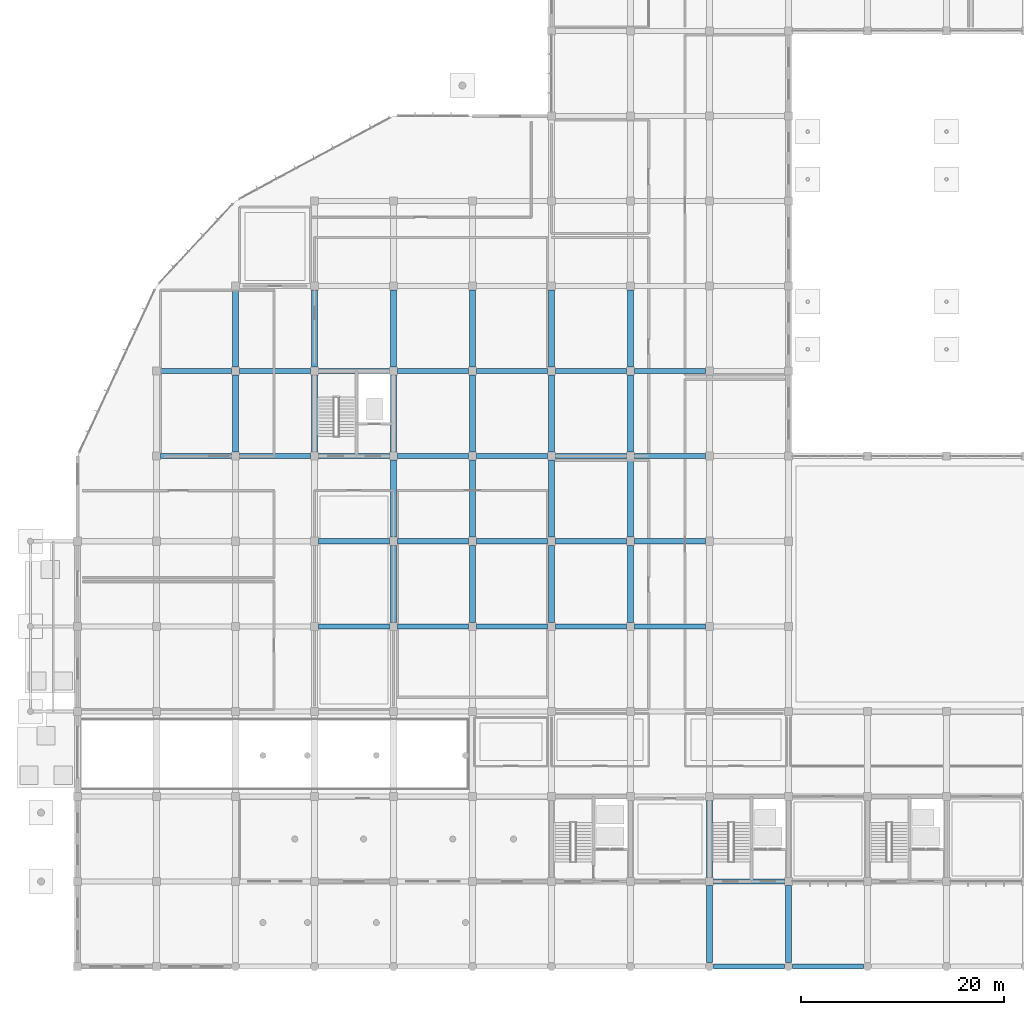
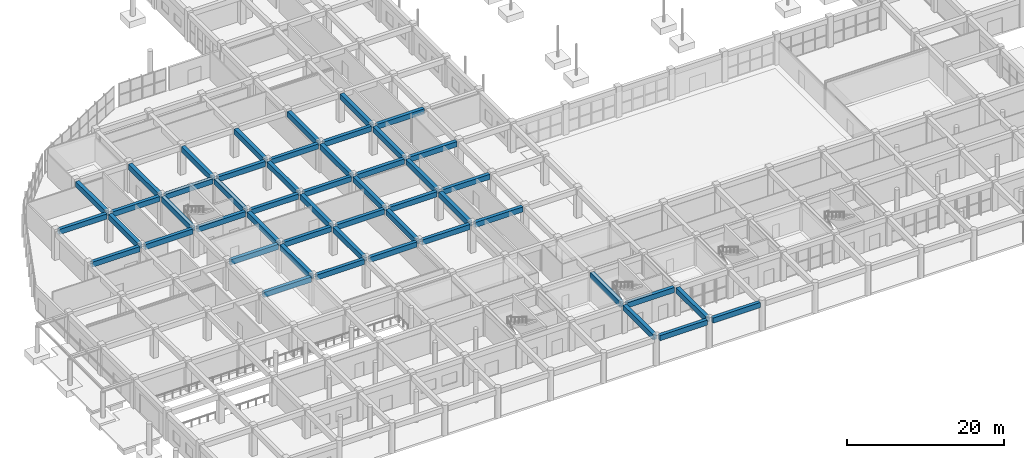
# One storey, part 12 of 139: 50 beams.
"""IFC4 building model written with IfcOpenShell, lengths in metres."""

import ifcopenshell
import ifcopenshell.guid

model = None  # the IFC model being written
_history = None  # IfcOwnerHistory: only IFC2X3 demands one
_inside = {}  # id of a spatial element -> (the spatial element, [elements in it])
_under = {}  # id of a project, library or spatial element -> (it, [spatial elements below it])
_declared = {}  # id of a project -> (the project, [libraries it declares])
_typed = {}  # id of a type object -> (the type object, [elements of that type])
_made_of = {}  # id of a material, layer set ... -> (it, [elements and type objects made of it])


def new_model(schema):
    """Start an empty IFC model of exactly this schema.

    Asked for "IFC4X3", IfcOpenShell would pick the latest addendum, in which some entities
    have other attributes; the version numbers below select the first issue.
    IFC2X3 requires an IfcOwnerHistory on every rooted entity: one is made here for all.
    """
    global model, _history
    if schema == "IFC4X3":
        model = ifcopenshell.file(schema_version=(4, 3, 0, 0))
    else:
        model = ifcopenshell.file(schema=schema)
    _inside.clear()
    _under.clear()
    _declared.clear()
    _typed.clear()
    _made_of.clear()
    _history = None
    if model.schema == "IFC2X3":
        org = make("IfcOrganization", Name="unknown")
        user = make(
            "IfcPersonAndOrganization",
            ThePerson=make("IfcPerson", FamilyName="unknown"),
            TheOrganization=org,
        )
        app = make(
            "IfcApplication",
            ApplicationDeveloper=org,
            Version="unknown",
            ApplicationFullName="unknown",
            ApplicationIdentifier="unknown",
        )
        _history = make(
            "IfcOwnerHistory",
            OwningUser=user,
            OwningApplication=app,
            ChangeAction="ADDED",
            CreationDate=0,
        )
    return model


def make(cls, **values):
    """One entity of the class cls with the attributes given. An attribute that is None is left unset."""
    return model.create_entity(
        cls, **{name: value for name, value in values.items() if value is not None}
    )


def rooted(cls, **values):
    """An entity with a GlobalId (a new one), such as an element, a storey or a relation."""
    return make(cls, GlobalId=ifcopenshell.guid.new(), OwnerHistory=_history, **values)


def si_unit(unit_type, name, prefix=None):
    """IfcSIUnit, for example si_unit("LENGTHUNIT", "METRE", prefix="MILLI")."""
    return make("IfcSIUnit", UnitType=unit_type, Prefix=prefix, Name=name)


def assignment(units):
    """IfcUnitAssignment: the units of a project."""
    return None if units is None else make("IfcUnitAssignment", Units=units)


def point(xyz):
    """IfcCartesianPoint."""
    return None if xyz is None else make("IfcCartesianPoint", Coordinates=xyz)


def direction(xyz):
    """IfcDirection."""
    return None if xyz is None else make("IfcDirection", DirectionRatios=xyz)


def frame(location, z_axis=None, x_axis=None):
    """IfcAxis2Placement3D, a coordinate frame: its origin and axes. An axis left out is left unset."""
    return make(
        "IfcAxis2Placement3D",
        Location=point(location),
        Axis=direction(z_axis),
        RefDirection=direction(x_axis),
    )


def frame_2d(location, x_axis=None):
    """IfcAxis2Placement2D, a coordinate frame in the plane: its origin and x axis."""
    return make(
        "IfcAxis2Placement2D", Location=point(location), RefDirection=direction(x_axis)
    )


def origin():
    """The frame at (0, 0, 0) with its axes left unset."""
    return frame((0.0, 0.0, 0.0))


def origin_2d():
    """The frame at (0, 0) in the plane with its x axis left unset."""
    return frame_2d((0.0, 0.0))


def place(relative_to, where):
    """IfcLocalPlacement: puts the frame where relative to a parent placement (None: the world)."""
    return make(
        "IfcLocalPlacement", PlacementRelTo=relative_to, RelativePlacement=where
    )


def context(
    kind, dimensions, precision=None, world=None, true_north=None, identifier=None
):
    """IfcGeometricRepresentationContext, for example the 3D "Model" context."""
    return make(
        "IfcGeometricRepresentationContext",
        ContextIdentifier=identifier,
        ContextType=kind,
        CoordinateSpaceDimension=dimensions,
        Precision=precision,
        WorldCoordinateSystem=world,
        TrueNorth=true_north,
    )


def subcontext(parent, identifier, kind, view, scale=None):
    """IfcGeometricRepresentationSubContext, for example "Body" below "Model"."""
    return make(
        "IfcGeometricRepresentationSubContext",
        ContextIdentifier=identifier,
        ContextType=kind,
        ParentContext=parent,
        TargetScale=scale,
        TargetView=view,
    )


def project(units=None, contexts=None):
    """IfcProject with its units and contexts."""
    return rooted(
        "IfcProject",
        Name="project",
        RepresentationContexts=contexts,
        UnitsInContext=assignment(units),
    )


def spatial(cls, under=None, at=None, **own):
    """A site, building, storey or space (cls), placed at a placement, below another one or the project."""
    s = rooted(cls, ObjectPlacement=at, **own)
    if under is not None:
        _under.setdefault(under.id(), (under, []))[1].append(s)
    return s


def profile(cls, at=None, kind="AREA", **sizes):
    """A parametric profile (cls). Its sizes go by their IFC names, for example OverallWidth=200.0."""
    return make(cls, ProfileType=kind, Position=at, **sizes)


def rectangle(**sizes):
    """IfcRectangleProfileDef."""
    return profile("IfcRectangleProfileDef", **sizes)


def extrude(swept, where, along, depth):
    """IfcExtrudedAreaSolid: the profile swept, set in the frame where, extruded along a direction by depth."""
    return make(
        "IfcExtrudedAreaSolid",
        SweptArea=swept,
        Position=where,
        ExtrudedDirection=direction(along),
        Depth=depth,
    )


def shape(context_of_items, identifier, shape_type, items):
    """IfcShapeRepresentation: the items that make up one representation, for example the "Body"."""
    return make(
        "IfcShapeRepresentation",
        ContextOfItems=context_of_items,
        RepresentationIdentifier=identifier,
        RepresentationType=shape_type,
        Items=items,
    )


def material(Name=None, Category=None):
    """IfcMaterial."""
    return make("IfcMaterial", Name=Name, Category=Category)


def material_profile(
    of_material, cross_section, Name=None, Category=None, Priority=None
):
    """IfcMaterialProfile: a cross section and its material."""
    return make(
        "IfcMaterialProfile",
        Name=Name,
        Material=of_material,
        Profile=cross_section,
        Priority=Priority,
        Category=Category,
    )


def profile_set(profiles, Name=None, composite=None):
    """IfcMaterialProfileSet."""
    return make(
        "IfcMaterialProfileSet",
        Name=Name,
        MaterialProfiles=profiles,
        CompositeProfile=composite,
    )


def made_of(thing, what):
    """Note that an element or type object is made of a material, layer set ...; save() writes the relation."""
    if what is not None:
        _made_of.setdefault(what.id(), (what, []))[1].append(thing)
    return thing


def type_object(cls, material=None, **own):
    """A type object (cls), such as IfcWallType, which elements share."""
    return made_of(rooted(cls, **own), material)


def element(
    cls,
    number,
    at=None,
    inside=None,
    cuts=None,
    type_object=None,
    material=None,
    context=None,
    identifier="Body",
    shape_type=None,
    held_by="IfcProductDefinitionShape",
    body=None,
    shapes=None,
    **own,
):
    """One element of the class cls, such as IfcWall. Its Tag is "e" and its number.

    at: its placement. inside: the storey or other place that contains it. cuts: it is an
    opening in that element (IfcRelVoidsElement). A single representation is given by context,
    identifier, shape_type and body (its items); several are given by shapes. held_by: the class
    of the entity that holds the representations. save() writes the other relations.
    """
    e = rooted(cls, Tag="e%d" % number, ObjectPlacement=at, **own)
    if body is not None:
        shapes = [shape(context, identifier, shape_type, body)]
    if shapes is not None:
        e.Representation = make(held_by, Representations=shapes)
    if inside is not None:
        _inside.setdefault(inside.id(), (inside, []))[1].append(e)
    if cuts is not None:
        rooted(
            "IfcRelVoidsElement", RelatingBuildingElement=cuts, RelatedOpeningElement=e
        )
    if type_object is not None:
        _typed.setdefault(type_object.id(), (type_object, []))[1].append(e)
    return made_of(e, material)


def aggregate(whole, parts):
    """IfcRelAggregates: a whole, such as a stair, and the parts it consists of."""
    return rooted("IfcRelAggregates", RelatingObject=whole, RelatedObjects=parts)


def save(model, path):
    """Write the relations noted so far, then the file.

    IfcRelAggregates (storeys below a building ...), IfcRelContainedInSpatialStructure (elements
    in a storey), IfcRelDefinesByType, IfcRelAssociatesMaterial and IfcRelDeclares: one each for
    every whole, place, type object, material and project.
    """
    for whole, parts in _under.values():
        aggregate(whole, parts)
    for where, things in _inside.values():
        rooted(
            "IfcRelContainedInSpatialStructure",
            RelatedElements=things,
            RelatingStructure=where,
        )
    for kind, things in _typed.values():
        rooted("IfcRelDefinesByType", RelatedObjects=things, RelatingType=kind)
    for what, things in _made_of.values():
        rooted("IfcRelAssociatesMaterial", RelatedObjects=things, RelatingMaterial=what)
    for by, libraries in _declared.values():
        rooted("IfcRelDeclares", RelatingContext=by, RelatedDefinitions=libraries)
    model.write(path)


model = new_model("IFC4")

# Units and contexts
model_context = context("Model", 3, precision=1e-05, world=origin(), true_north=direction((0.0, 1.0)))
body_context = subcontext(model_context, "Body", "Model", "MODEL_VIEW")
ifc_project = project(units=[si_unit("LENGTHUNIT", "METRE"), si_unit("AREAUNIT", "SQUARE_METRE"), si_unit("VOLUMEUNIT", "CUBIC_METRE"), si_unit("PLANEANGLEUNIT", "RADIAN"), si_unit("MASSUNIT", "GRAM", prefix="KILO")], contexts=[model_context])

# Site, building, storey
site_placement = place(None, origin())
site = spatial("IfcSite", under=ifc_project, at=site_placement, CompositionType="ELEMENT")
building_placement = place(site_placement, origin())
building = spatial("IfcBuilding", under=site, at=building_placement, Name="Zizhar Promenade General Hospital", CompositionType="ELEMENT")
storey_placement = place(building_placement, origin())
storey = spatial("IfcBuildingStorey", under=building, at=storey_placement, Name="L00", CompositionType="ELEMENT", Elevation=0.0)

# Beams
ifc_material_1 = material(Name="Concrete C35/45", Category="concrete")
ifc_material_profile_1 = material_profile(ifc_material_1, rectangle(XDim=0.5, YDim=0.800048828125, at=origin_2d()))
ifc_profile_set_1 = profile_set([ifc_material_profile_1], Name="Concrete C35/45")
beam_type_1 = type_object("IfcBeamType", Name="BM-RC-500x800", PredefinedType="BEAM", material=ifc_profile_set_1)
for number, where, z_axis, x_axis, name in (
    (1, (8.199951171875, 50.39990234375, 4.070068359375), (1.0, 0.0, 0.0), (0.0, 1.0, 0.0), "Grid Beam X L00 (1-6)"),
    (2, (8.199951171875, 58.800048828125, 4.070068359375), (1.0, 0.0, 0.0), (0.0, 1.0, 0.0), "Grid Beam X L00 (1-7)"),
    (3, (16.0, 50.39990234375, 4.070068359375), (1.0, 0.0, 0.0), (0.0, 1.0, 0.0), "Grid Beam X L00 (2-6)"),
    (4, (16.0, 58.800048828125, 4.070068359375), (1.0, 0.0, 0.0), (0.0, 1.0, 0.0), "Grid Beam X L00 (2-7)"),
    (5, (23.800048828125, 33.60009765625, 4.070068359375), (1.0, 0.0, 0.0), (0.0, 1.0, 0.0), "Grid Beam X L00 (3-4)"),
    (6, (23.800048828125, 42.0, 4.070068359375), (1.0, 0.0, 0.0), (0.0, 1.0, 0.0), "Grid Beam X L00 (3-5)"),
    (7, (23.800048828125, 50.39990234375, 4.070068359375), (1.0, 0.0, 0.0), (0.0, 1.0, 0.0), "Grid Beam X L00 (3-6)"),
    (8, (23.800048828125, 58.800048828125, 4.070068359375), (1.0, 0.0, 0.0), (0.0, 1.0, 0.0), "Grid Beam X L00 (3-7)"),
    (9, (31.60009765625, 33.60009765625, 4.070068359375), (1.0, 0.0, 0.0), (0.0, 1.0, 0.0), "Grid Beam X L00 (4-4)"),
    (10, (31.60009765625, 42.0, 4.070068359375), (1.0, 0.0, 0.0), (0.0, 1.0, 0.0), "Grid Beam X L00 (4-5)"),
    (11, (31.60009765625, 50.39990234375, 4.070068359375), (1.0, 0.0, 0.0), (0.0, 1.0, 0.0), "Grid Beam X L00 (4-6)"),
    (12, (31.60009765625, 58.800048828125, 4.070068359375), (1.0, 0.0, 0.0), (0.0, 1.0, 0.0), "Grid Beam X L00 (4-7)"),
    (13, (39.39990234375, 33.60009765625, 4.070068359375), (1.0, 0.0, 0.0), (0.0, 1.0, 0.0), "Grid Beam X L00 (5-4)"),
    (14, (39.39990234375, 42.0, 4.070068359375), (1.0, 0.0, 0.0), (0.0, 1.0, 0.0), "Grid Beam X L00 (5-5)"),
    (15, (39.39990234375, 50.39990234375, 4.070068359375), (1.0, 0.0, 0.0), (0.0, 1.0, 0.0), "Grid Beam X L00 (5-6)"),
    (16, (39.39990234375, 58.800048828125, 4.070068359375), (1.0, 0.0, 0.0), (0.0, 1.0, 0.0), "Grid Beam X L00 (5-7)"),
    (17, (47.199951171875, 33.60009765625, 4.070068359375), (1.0, 0.0, 0.0), (0.0, 1.0, 0.0), "Grid Beam X L00 (6-4)"),
    (18, (47.199951171875, 42.0, 4.070068359375), (1.0, 0.0, 0.0), (0.0, 1.0, 0.0), "Grid Beam X L00 (6-5)"),
    (19, (47.199951171875, 50.39990234375, 4.070068359375), (1.0, 0.0, 0.0), (0.0, 1.0, 0.0), "Grid Beam X L00 (6-6)"),
    (20, (47.199951171875, 58.800048828125, 4.070068359375), (1.0, 0.0, 0.0), (0.0, 1.0, 0.0), "Grid Beam X L00 (6-7)"),
    (21, (55.0, 33.60009765625, 4.070068359375), (1.0, 0.0, 0.0), (0.0, 1.0, 0.0), "Grid Beam X L00 (7-4)"),
    (22, (55.0, 42.0, 4.070068359375), (1.0, 0.0, 0.0), (0.0, 1.0, 0.0), "Grid Beam X L00 (7-5)"),
    (23, (55.0, 50.39990234375, 4.070068359375), (1.0, 0.0, 0.0), (0.0, 1.0, 0.0), "Grid Beam X L00 (7-6)"),
    (24, (55.0, 58.800048828125, 4.070068359375), (1.0, 0.0, 0.0), (0.0, 1.0, 0.0), "Grid Beam X L00 (7-7)"),
    (25, (62.800048828125, 0.0, 4.070068359375), (1.0, 0.0, 0.0), (0.0, 1.0, 0.0), "Grid Beam X L00 (8-0)"),
    (26, (62.800048828125, 8.39990234375, 4.070068359375), (1.0, 0.0, 0.0), (0.0, 1.0, 0.0), "Grid Beam X L00 (8-1)"),
    (27, (70.60009765625, 0.0, 4.070068359375), (1.0, 0.0, 0.0), (0.0, 1.0, 0.0), "Grid Beam X L00 (9-0)"),
):
    element("IfcBeam", number, at=place(storey_placement, frame(where, z_axis=z_axis, x_axis=x_axis)), inside=storey, type_object=beam_type_1, Name=name, PredefinedType="BEAM", context=body_context, shape_type="SweptSolid", body=[
        extrude(rectangle(XDim=0.5, YDim=0.800048828125, at=origin_2d()), origin(), (0.0, 0.0, 1.0), 7.0),
    ])
ifc_material_2 = material(Name="Concrete C35/45", Category="concrete")
ifc_material_profile_2 = material_profile(ifc_material_2, rectangle(XDim=0.550048828125, YDim=0.85009765625, at=origin_2d()))
ifc_profile_set_2 = profile_set([ifc_material_profile_2], Name="Concrete C35/45")
beam_type_2 = type_object("IfcBeamType", Name="BM-RC-550x850", PredefinedType="BEAM", material=ifc_profile_set_2)
beam_1_placement = place(storey_placement, frame((15.60009765625, 50.800048828125, 4.044921875), z_axis=(0.0, 1.0, 0.0), x_axis=(-1.0, 0.0, 0.0)))
element("IfcBeam", 28, at=beam_1_placement, inside=storey, type_object=beam_type_2, Name="Grid Beam Y L00 (2-6)", PredefinedType="BEAM", context=body_context, shape_type="SweptSolid", body=[
    extrude(rectangle(XDim=0.550048828125, YDim=0.85009765625, at=origin_2d()), origin(), (0.0, 0.0, 1.0), 7.599853515625),
])
beam_2_placement = place(storey_placement, frame((15.60009765625, 59.199951171875, 4.044921875), z_axis=(0.0, 1.0, 0.0), x_axis=(-1.0, 0.0, 0.0)))
element("IfcBeam", 29, at=beam_2_placement, inside=storey, type_object=beam_type_2, Name="Grid Beam Y L00 (2-7)", PredefinedType="BEAM", context=body_context, shape_type="SweptSolid", body=[
    extrude(rectangle(XDim=0.550048828125, YDim=0.85009765625, at=origin_2d()), origin(), (0.0, 0.0, 1.0), 7.60009765625),
])
beam_3_placement = place(storey_placement, frame((23.39990234375, 50.800048828125, 4.044921875), z_axis=(0.0, 1.0, 0.0), x_axis=(-1.0, 0.0, 0.0)))
element("IfcBeam", 30, at=beam_3_placement, inside=storey, type_object=beam_type_2, Name="Grid Beam Y L00 (3-6)", PredefinedType="BEAM", context=body_context, shape_type="SweptSolid", body=[
    extrude(rectangle(XDim=0.550048828125, YDim=0.85009765625, at=origin_2d()), origin(), (0.0, 0.0, 1.0), 7.599853515625),
])
for number, where, z_axis, x_axis, name in (
    (31, (23.39990234375, 59.199951171875, 4.044921875), (0.0, 1.0, 0.0), (-1.0, 0.0, 0.0), "Grid Beam Y L00 (3-7)"),
    (32, (31.199951171875, 34.0, 4.044921875), (0.0, 1.0, 0.0), (-1.0, 0.0, 0.0), "Grid Beam Y L00 (4-4)"),
    (33, (31.199951171875, 42.39990234375, 4.044921875), (0.0, 1.0, 0.0), (-1.0, 0.0, 0.0), "Grid Beam Y L00 (4-5)"),
):
    element("IfcBeam", number, at=place(storey_placement, frame(where, z_axis=z_axis, x_axis=x_axis)), inside=storey, type_object=beam_type_2, Name=name, PredefinedType="BEAM", context=body_context, shape_type="SweptSolid", body=[
        extrude(rectangle(XDim=0.550048828125, YDim=0.85009765625, at=origin_2d()), origin(), (0.0, 0.0, 1.0), 7.60009765625),
    ])
beam_4_placement = place(storey_placement, frame((31.199951171875, 50.800048828125, 4.044921875), z_axis=(0.0, 1.0, 0.0), x_axis=(-1.0, 0.0, 0.0)))
element("IfcBeam", 34, at=beam_4_placement, inside=storey, type_object=beam_type_2, Name="Grid Beam Y L00 (4-6)", PredefinedType="BEAM", context=body_context, shape_type="SweptSolid", body=[
    extrude(rectangle(XDim=0.550048828125, YDim=0.85009765625, at=origin_2d()), origin(), (0.0, 0.0, 1.0), 7.599853515625),
])
for number, where, z_axis, x_axis, name in (
    (35, (31.199951171875, 59.199951171875, 4.044921875), (0.0, 1.0, 0.0), (-1.0, 0.0, 0.0), "Grid Beam Y L00 (4-7)"),
    (36, (39.0, 34.0, 4.044921875), (0.0, 1.0, 0.0), (-1.0, 0.0, 0.0), "Grid Beam Y L00 (5-4)"),
    (37, (39.0, 42.39990234375, 4.044921875), (0.0, 1.0, 0.0), (-1.0, 0.0, 0.0), "Grid Beam Y L00 (5-5)"),
):
    element("IfcBeam", number, at=place(storey_placement, frame(where, z_axis=z_axis, x_axis=x_axis)), inside=storey, type_object=beam_type_2, Name=name, PredefinedType="BEAM", context=body_context, shape_type="SweptSolid", body=[
        extrude(rectangle(XDim=0.550048828125, YDim=0.85009765625, at=origin_2d()), origin(), (0.0, 0.0, 1.0), 7.60009765625),
    ])
beam_5_placement = place(storey_placement, frame((39.0, 50.800048828125, 4.044921875), z_axis=(0.0, 1.0, 0.0), x_axis=(-1.0, 0.0, 0.0)))
element("IfcBeam", 38, at=beam_5_placement, inside=storey, type_object=beam_type_2, Name="Grid Beam Y L00 (5-6)", PredefinedType="BEAM", context=body_context, shape_type="SweptSolid", body=[
    extrude(rectangle(XDim=0.550048828125, YDim=0.85009765625, at=origin_2d()), origin(), (0.0, 0.0, 1.0), 7.599853515625),
])
for number, where, z_axis, x_axis, name in (
    (39, (39.0, 59.199951171875, 4.044921875), (0.0, 1.0, 0.0), (-1.0, 0.0, 0.0), "Grid Beam Y L00 (5-7)"),
    (40, (46.800048828125, 34.0, 4.044921875), (0.0, 1.0, 0.0), (-1.0, 0.0, 0.0), "Grid Beam Y L00 (6-4)"),
    (41, (46.800048828125, 42.39990234375, 4.044921875), (0.0, 1.0, 0.0), (-1.0, 0.0, 0.0), "Grid Beam Y L00 (6-5)"),
):
    element("IfcBeam", number, at=place(storey_placement, frame(where, z_axis=z_axis, x_axis=x_axis)), inside=storey, type_object=beam_type_2, Name=name, PredefinedType="BEAM", context=body_context, shape_type="SweptSolid", body=[
        extrude(rectangle(XDim=0.550048828125, YDim=0.85009765625, at=origin_2d()), origin(), (0.0, 0.0, 1.0), 7.60009765625),
    ])
beam_6_placement = place(storey_placement, frame((46.800048828125, 50.800048828125, 4.044921875), z_axis=(0.0, 1.0, 0.0), x_axis=(-1.0, 0.0, 0.0)))
element("IfcBeam", 42, at=beam_6_placement, inside=storey, type_object=beam_type_2, Name="Grid Beam Y L00 (6-6)", PredefinedType="BEAM", context=body_context, shape_type="SweptSolid", body=[
    extrude(rectangle(XDim=0.550048828125, YDim=0.85009765625, at=origin_2d()), origin(), (0.0, 0.0, 1.0), 7.599853515625),
])
for number, where, z_axis, x_axis, name in (
    (43, (46.800048828125, 59.199951171875, 4.044921875), (0.0, 1.0, 0.0), (-1.0, 0.0, 0.0), "Grid Beam Y L00 (6-7)"),
    (44, (54.60009765625, 34.0, 4.044921875), (0.0, 1.0, 0.0), (-1.0, 0.0, 0.0), "Grid Beam Y L00 (7-4)"),
    (45, (54.60009765625, 42.39990234375, 4.044921875), (0.0, 1.0, 0.0), (-1.0, 0.0, 0.0), "Grid Beam Y L00 (7-5)"),
):
    element("IfcBeam", number, at=place(storey_placement, frame(where, z_axis=z_axis, x_axis=x_axis)), inside=storey, type_object=beam_type_2, Name=name, PredefinedType="BEAM", context=body_context, shape_type="SweptSolid", body=[
        extrude(rectangle(XDim=0.550048828125, YDim=0.85009765625, at=origin_2d()), origin(), (0.0, 0.0, 1.0), 7.60009765625),
    ])
beam_7_placement = place(storey_placement, frame((54.60009765625, 50.800048828125, 4.044921875), z_axis=(0.0, 1.0, 0.0), x_axis=(-1.0, 0.0, 0.0)))
element("IfcBeam", 46, at=beam_7_placement, inside=storey, type_object=beam_type_2, Name="Grid Beam Y L00 (7-6)", PredefinedType="BEAM", context=body_context, shape_type="SweptSolid", body=[
    extrude(rectangle(XDim=0.550048828125, YDim=0.85009765625, at=origin_2d()), origin(), (0.0, 0.0, 1.0), 7.599853515625),
])
for number, where, z_axis, x_axis, name in (
    (47, (54.60009765625, 59.199951171875, 4.044921875), (0.0, 1.0, 0.0), (-1.0, 0.0, 0.0), "Grid Beam Y L00 (7-7)"),
    (48, (62.39990234375, 0.39990234375, 4.044921875), (0.0, 1.0, 0.0), (-1.0, 0.0, 0.0), "Grid Beam Y L00 (8-0)"),
):
    element("IfcBeam", number, at=place(storey_placement, frame(where, z_axis=z_axis, x_axis=x_axis)), inside=storey, type_object=beam_type_2, Name=name, PredefinedType="BEAM", context=body_context, shape_type="SweptSolid", body=[
        extrude(rectangle(XDim=0.550048828125, YDim=0.85009765625, at=origin_2d()), origin(), (0.0, 0.0, 1.0), 7.60009765625),
    ])
beam_8_placement = place(storey_placement, frame((62.39990234375, 8.800048828125, 4.044921875), z_axis=(0.0, 1.0, 0.0), x_axis=(-1.0, 0.0, 0.0)))
element("IfcBeam", 49, at=beam_8_placement, inside=storey, type_object=beam_type_2, Name="Grid Beam Y L00 (8-1)", PredefinedType="BEAM", context=body_context, shape_type="SweptSolid", body=[
    extrude(rectangle(XDim=0.550048828125, YDim=0.85009765625, at=origin_2d()), origin(), (0.0, 0.0, 1.0), 7.599853515625),
])
beam_9_placement = place(storey_placement, frame((70.199951171875, 0.39990234375, 4.044921875), z_axis=(0.0, 1.0, 0.0), x_axis=(-1.0, 0.0, 0.0)))
element("IfcBeam", 50, at=beam_9_placement, inside=storey, type_object=beam_type_2, Name="Grid Beam Y L00 (9-0)", PredefinedType="BEAM", context=body_context, shape_type="SweptSolid", body=[
    extrude(rectangle(XDim=0.550048828125, YDim=0.85009765625, at=origin_2d()), origin(), (0.0, 0.0, 1.0), 7.60009765625),
])

save(model, "model.ifc")
